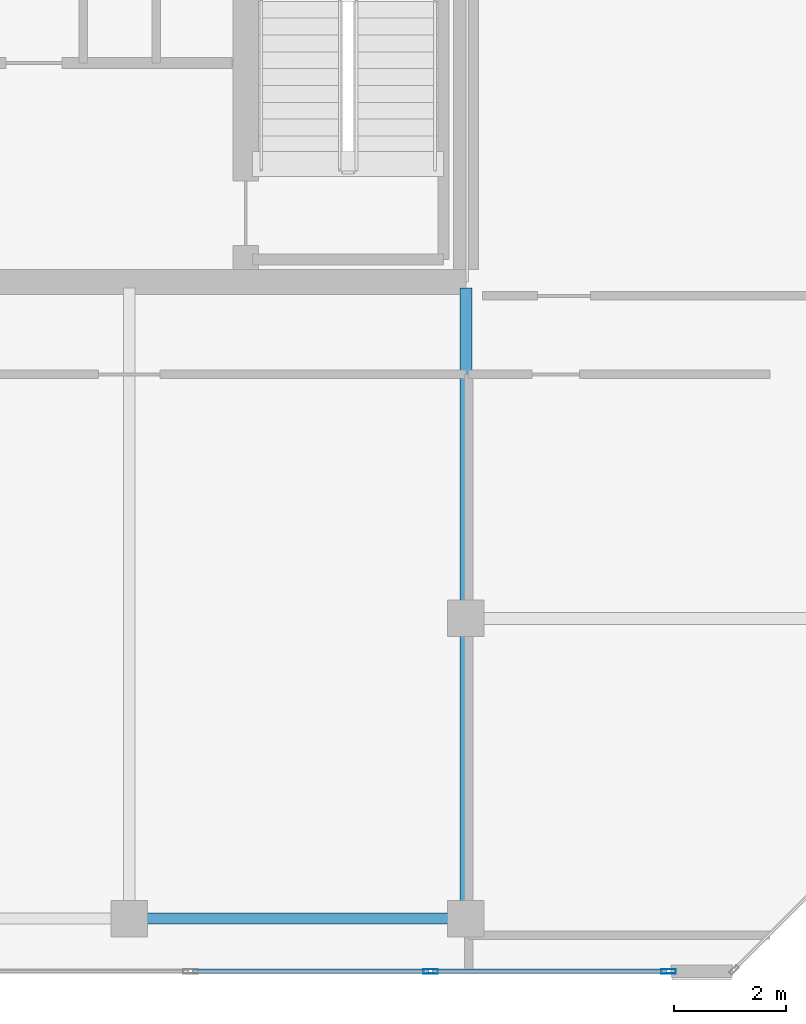
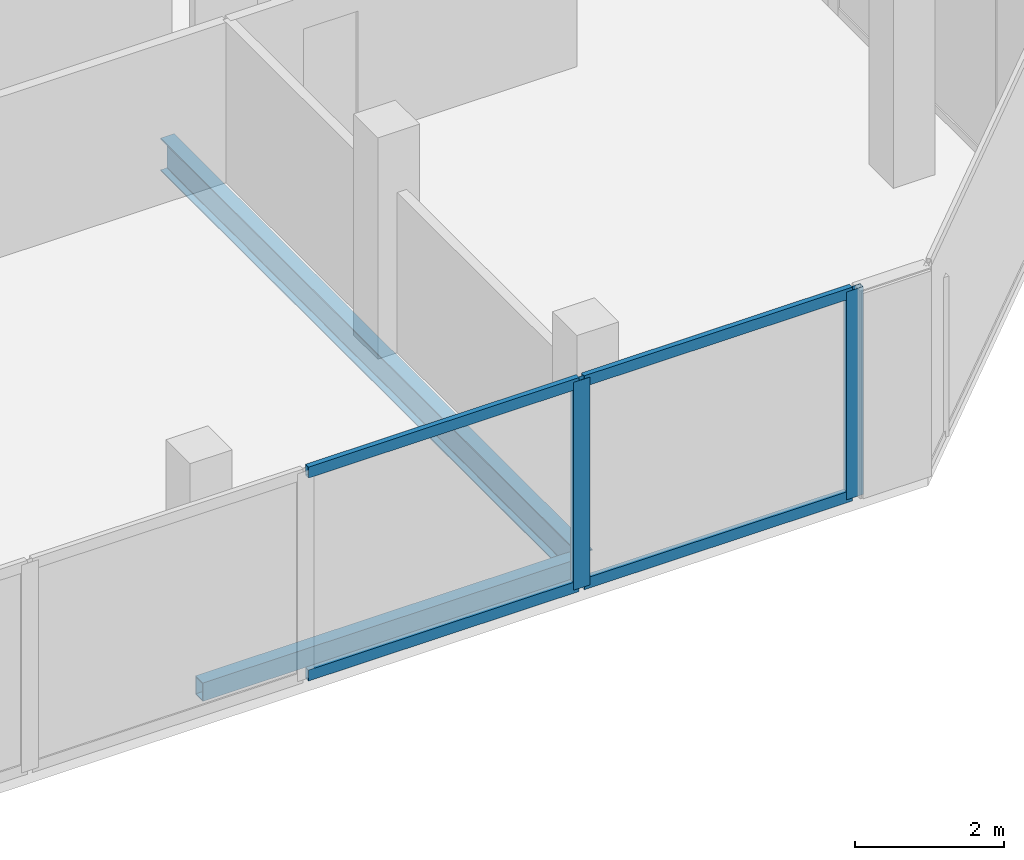
# One storey, part 16 of 28: 6 members, 2 beams, 1 element without a shape of its own.
"""IFC4 building model written with IfcOpenShell, lengths in metres."""

from ifc_helpers import new_model, si_unit, direction, frame, origin, origin_2d, place, context, subcontext, project, spatial, hollow_rectangle, i_section, extrude, material, layer, layer_set, material_profile, profile_set, type_object, element, aggregate, save


model = new_model("IFC4")

# Units and contexts
model_context = context("Model", 3, precision=1e-05, world=origin(), true_north=direction((0.0, 1.0)))
body_context = subcontext(model_context, "Body", "Model", "MODEL_VIEW")
ifc_project = project(units=[si_unit("LENGTHUNIT", "METRE"), si_unit("AREAUNIT", "SQUARE_METRE"), si_unit("VOLUMEUNIT", "CUBIC_METRE"), si_unit("PLANEANGLEUNIT", "RADIAN"), si_unit("MASSUNIT", "GRAM", prefix="KILO")], contexts=[model_context])

# Site, building, storey
site_placement = place(None, origin())
site = spatial("IfcSite", under=ifc_project, at=site_placement, CompositionType="ELEMENT")
building_placement = place(site_placement, origin())
building = spatial("IfcBuilding", under=site, at=building_placement, Name="Tanjung Sevakor Pilgrim Tower", CompositionType="ELEMENT")
storey_placement = place(building_placement, frame((0.0, 0.0, 257.070068359375)))
storey = spatial("IfcBuildingStorey", under=building, at=storey_placement, Name="L72", CompositionType="ELEMENT", Elevation=257.070068359375)

# Beams
ifc_material_1 = material(Name="Steel S355J2", Category="steel")
ifc_material_profile_1 = material_profile(ifc_material_1, i_section(OverallWidth=0.210693359375, OverallDepth=0.53955078125, WebThickness=0.01171875, FlangeThickness=0.018798828125, FilletRadius=0.0126953125, at=origin_2d()))
ifc_profile_set_1 = profile_set([ifc_material_profile_1], Name="Steel S355J2")
beam_type_1 = type_object("IfcBeamType", Name="BM-B-G6-UB_533x210x109", PredefinedType="BEAM", material=ifc_profile_set_1)
beam_1_placement = place(storey_placement, frame((90.0, 13.25, -0.48974609375), z_axis=(0.0, 1.0, 0.0), x_axis=(-1.0, 0.0, 0.0)))
element("IfcBeam", 1, at=beam_1_placement, inside=storey, type_object=beam_type_1, Name="L72 EAST Girder 009", PredefinedType="BEAM", context=body_context, shape_type="SweptSolid", body=[
    extrude(i_section(OverallWidth=0.210693359375, OverallDepth=0.53955078125, WebThickness=0.01171875, FlangeThickness=0.018798828125, FilletRadius=0.0126953125, at=origin_2d()), origin(), (0.0, 0.0, 1.0), 11.243896484375),
])
ifc_material_2 = material(Name="Steel S355J2", Category="steel")
ifc_material_profile_2 = material_profile(ifc_material_2, hollow_rectangle(XDim=0.199951171875, YDim=0.300048828125, WallThickness=0.012451171875, at=origin_2d()))
ifc_profile_set_2 = profile_set([ifc_material_profile_2], Name="Steel S355J2")
beam_type_2 = type_object("IfcBeamType", Name="BM-B-SP3-RHS_300x200x12.5", PredefinedType="SPANDREL", material=ifc_profile_set_2)
beam_2_placement = place(storey_placement, frame((84.0, 13.25, -0.3701171875), z_axis=(1.0, 0.0, 0.0), x_axis=(0.0, 1.0, 0.0)))
element("IfcBeam", 2, at=beam_2_placement, inside=storey, type_object=beam_type_2, Name="L72 Spandrel EAST S-05", PredefinedType="SPANDREL", context=body_context, shape_type="SweptSolid", body=[
    extrude(hollow_rectangle(XDim=0.199951171875, YDim=0.300048828125, WallThickness=0.012451171875, at=origin_2d()), origin(), (0.0, 0.0, 1.0), 6.0),
])

# Curtain wall, members
ifc_material_3 = material(Name="Aluminium 6063-T6 and Low-E Glass", Category="aluminium")
ifc_layer = layer(ifc_material_3, 0.219970703125)
ifc_layer_set = layer_set([ifc_layer], Name="CW-SYS-CRNE")
curtain_wall_type = type_object("IfcCurtainWallType", Name="CW-SYS-CRNE", PredefinedType="NOTDEFINED", material=ifc_layer_set)
curtain_wall_placement = place(storey_placement, origin())
curtain_wall = element("IfcCurtainWall", 3, at=curtain_wall_placement, inside=storey, type_object=curtain_wall_type, Name="L72 Curtain Wall CW-CRN-L72-EAST-0-1", PredefinedType="NOTDEFINED")
ifc_material_4 = material(Name="Aluminium 6063-T6", Category="aluminium")
ifc_material_profile_3 = material_profile(ifc_material_4, hollow_rectangle(XDim=0.080078125, YDim=0.260009765625, WallThickness=0.0048828125, at=origin_2d()))
ifc_profile_set_3 = profile_set([ifc_material_profile_3], Name="Aluminium 6063-T6")
member_type_1 = type_object("IfcMemberType", Name="TYPE-CWM-3", PredefinedType="MULLION", material=ifc_profile_set_3)
member_1_placement = place(storey_placement, frame((89.37255859375, 12.31005859375, 0.0), z_axis=(0.0, 0.0, 1.0), x_axis=(0.0, 1.0, 0.0)))
member_1 = element("IfcMember", 4, at=member_1_placement, type_object=member_type_1, Name="CW-CRE mullion 5", PredefinedType="MULLION", context=body_context, shape_type="SweptSolid", body=[
    extrude(hollow_rectangle(XDim=0.080078125, YDim=0.260009765625, WallThickness=0.0048828125, at=origin_2d()), origin(), (0.0, 0.0, 1.0), 3.409912109375),
])
member_2_placement = place(storey_placement, frame((93.614501953125, 12.31005859375, 0.0), z_axis=(0.0, 0.0, 1.0), x_axis=(0.0, 1.0, 0.0)))
member_2 = element("IfcMember", 5, at=member_2_placement, type_object=member_type_1, Name="CW-CRE mullion 6", PredefinedType="MULLION", context=body_context, shape_type="SweptSolid", body=[
    extrude(hollow_rectangle(XDim=0.080078125, YDim=0.260009765625, WallThickness=0.0048828125, at=origin_2d()), origin(), (0.0, 0.0, 1.0), 3.409912109375),
])
ifc_material_5 = material(Name="Aluminium 6063-T6", Category="aluminium")
ifc_material_profile_4 = material_profile(ifc_material_5, hollow_rectangle(XDim=0.080078125, YDim=0.179931640625, WallThickness=0.0048828125, at=origin_2d()))
ifc_profile_set_4 = profile_set([ifc_material_profile_4], Name="Aluminium 6063-T6")
member_type_2 = type_object("IfcMemberType", Name="TYPE-CWT-3", PredefinedType="USERDEFINED", material=ifc_profile_set_4)
member_3_placement = place(storey_placement, frame((85.130859375, 12.31005859375, 0.0400390625), z_axis=(1.0, 0.0, 0.0), x_axis=(0.0, 1.0, 0.0)))
member_3 = element("IfcMember", 6, at=member_3_placement, type_object=member_type_2, Name="CW-CRE transom 4.1", ObjectType="TRANSOM", PredefinedType="USERDEFINED", context=body_context, shape_type="SweptSolid", body=[
    extrude(hollow_rectangle(XDim=0.080078125, YDim=0.179931640625, WallThickness=0.0048828125, at=origin_2d()), origin(), (0.0, 0.0, 1.0), 4.20166015625),
])
member_4_placement = place(storey_placement, frame((85.130859375, 12.31005859375, 3.369873046875), z_axis=(1.0, 0.0, 0.0), x_axis=(0.0, 1.0, 0.0)))
member_4 = element("IfcMember", 7, at=member_4_placement, type_object=member_type_2, Name="CW-CRE transom 4.2", ObjectType="TRANSOM", PredefinedType="USERDEFINED", context=body_context, shape_type="SweptSolid", body=[
    extrude(hollow_rectangle(XDim=0.080078125, YDim=0.179931640625, WallThickness=0.0048828125, at=origin_2d()), origin(), (0.0, 0.0, 1.0), 4.20166015625),
])
member_5_placement = place(storey_placement, frame((89.41259765625, 12.31005859375, 0.0400390625), z_axis=(1.0, 0.0, 0.0), x_axis=(0.0, 1.0, 0.0)))
member_5 = element("IfcMember", 8, at=member_5_placement, type_object=member_type_2, Name="CW-CRE transom 5.1", ObjectType="TRANSOM", PredefinedType="USERDEFINED", context=body_context, shape_type="SweptSolid", body=[
    extrude(hollow_rectangle(XDim=0.080078125, YDim=0.179931640625, WallThickness=0.0048828125, at=origin_2d()), origin(), (0.0, 0.0, 1.0), 4.161865234375),
])
member_6_placement = place(storey_placement, frame((89.41259765625, 12.31005859375, 3.369873046875), z_axis=(1.0, 0.0, 0.0), x_axis=(0.0, 1.0, 0.0)))
member_6 = element("IfcMember", 9, at=member_6_placement, type_object=member_type_2, Name="CW-CRE transom 5.2", ObjectType="TRANSOM", PredefinedType="USERDEFINED", context=body_context, shape_type="SweptSolid", body=[
    extrude(hollow_rectangle(XDim=0.080078125, YDim=0.179931640625, WallThickness=0.0048828125, at=origin_2d()), origin(), (0.0, 0.0, 1.0), 4.161865234375),
])
aggregate(curtain_wall, [member_1, member_2, member_3, member_4, member_5, member_6])

save(model, "model.ifc")
